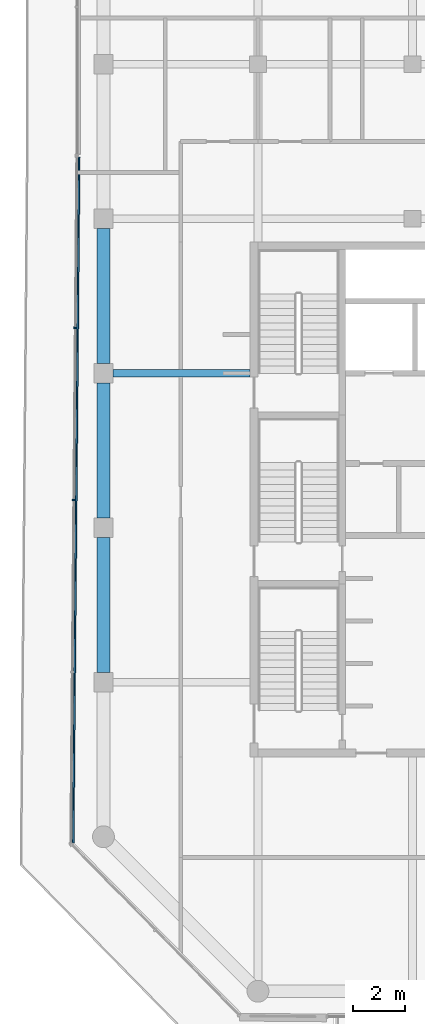
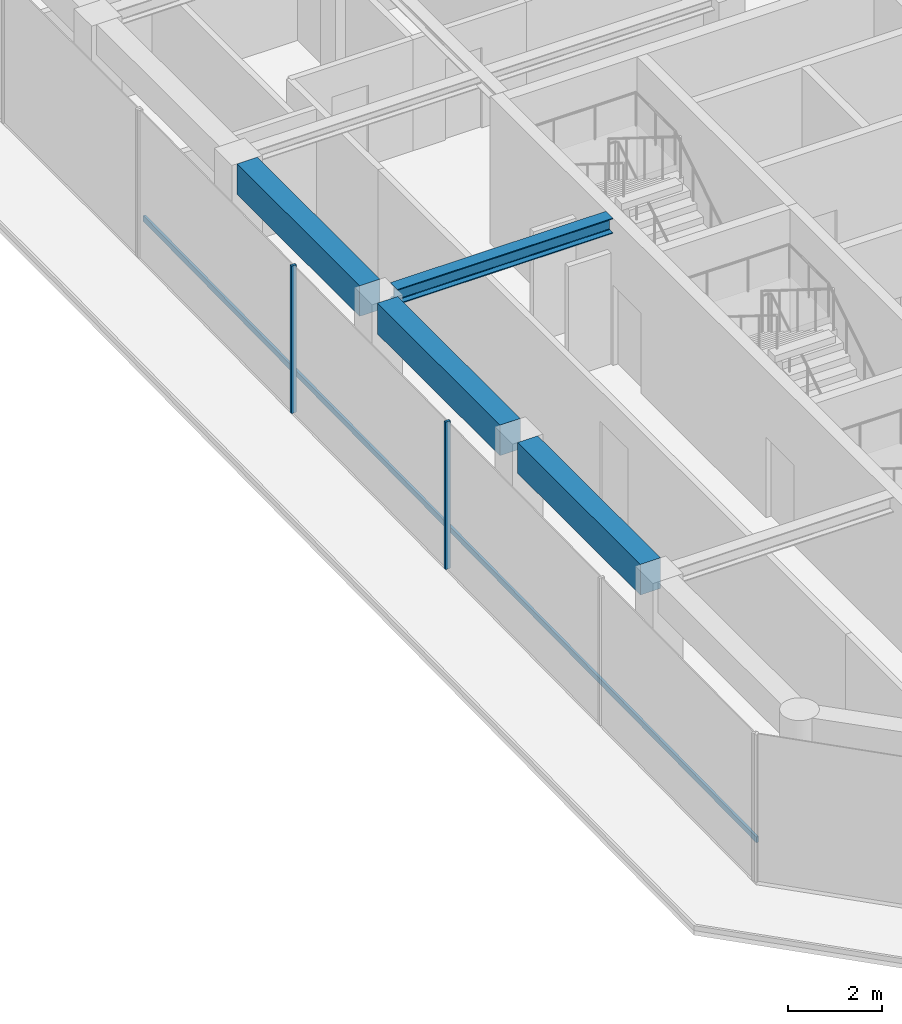
# One storey, part 4 of 18: 4 beams, 3 members, 1 element without a shape of its own.
"""IFC4 building model written with IfcOpenShell, lengths in metres."""

import ifcopenshell
import ifcopenshell.guid

model = None  # the IFC model being written
_history = None  # IfcOwnerHistory: only IFC2X3 demands one
_inside = {}  # id of a spatial element -> (the spatial element, [elements in it])
_under = {}  # id of a project, library or spatial element -> (it, [spatial elements below it])
_declared = {}  # id of a project -> (the project, [libraries it declares])
_typed = {}  # id of a type object -> (the type object, [elements of that type])
_made_of = {}  # id of a material, layer set ... -> (it, [elements and type objects made of it])


def new_model(schema):
    """Start an empty IFC model of exactly this schema.

    Asked for "IFC4X3", IfcOpenShell would pick the latest addendum, in which some entities
    have other attributes; the version numbers below select the first issue.
    IFC2X3 requires an IfcOwnerHistory on every rooted entity: one is made here for all.
    """
    global model, _history
    if schema == "IFC4X3":
        model = ifcopenshell.file(schema_version=(4, 3, 0, 0))
    else:
        model = ifcopenshell.file(schema=schema)
    _inside.clear()
    _under.clear()
    _declared.clear()
    _typed.clear()
    _made_of.clear()
    _history = None
    if model.schema == "IFC2X3":
        org = make("IfcOrganization", Name="unknown")
        user = make(
            "IfcPersonAndOrganization",
            ThePerson=make("IfcPerson", FamilyName="unknown"),
            TheOrganization=org,
        )
        app = make(
            "IfcApplication",
            ApplicationDeveloper=org,
            Version="unknown",
            ApplicationFullName="unknown",
            ApplicationIdentifier="unknown",
        )
        _history = make(
            "IfcOwnerHistory",
            OwningUser=user,
            OwningApplication=app,
            ChangeAction="ADDED",
            CreationDate=0,
        )
    return model


def make(cls, **values):
    """One entity of the class cls with the attributes given. An attribute that is None is left unset."""
    return model.create_entity(
        cls, **{name: value for name, value in values.items() if value is not None}
    )


def rooted(cls, **values):
    """An entity with a GlobalId (a new one), such as an element, a storey or a relation."""
    return make(cls, GlobalId=ifcopenshell.guid.new(), OwnerHistory=_history, **values)


def si_unit(unit_type, name, prefix=None):
    """IfcSIUnit, for example si_unit("LENGTHUNIT", "METRE", prefix="MILLI")."""
    return make("IfcSIUnit", UnitType=unit_type, Prefix=prefix, Name=name)


def assignment(units):
    """IfcUnitAssignment: the units of a project."""
    return None if units is None else make("IfcUnitAssignment", Units=units)


def point(xyz):
    """IfcCartesianPoint."""
    return None if xyz is None else make("IfcCartesianPoint", Coordinates=xyz)


def direction(xyz):
    """IfcDirection."""
    return None if xyz is None else make("IfcDirection", DirectionRatios=xyz)


def frame(location, z_axis=None, x_axis=None):
    """IfcAxis2Placement3D, a coordinate frame: its origin and axes. An axis left out is left unset."""
    return make(
        "IfcAxis2Placement3D",
        Location=point(location),
        Axis=direction(z_axis),
        RefDirection=direction(x_axis),
    )


def frame_2d(location, x_axis=None):
    """IfcAxis2Placement2D, a coordinate frame in the plane: its origin and x axis."""
    return make(
        "IfcAxis2Placement2D", Location=point(location), RefDirection=direction(x_axis)
    )


def origin():
    """The frame at (0, 0, 0) with its axes left unset."""
    return frame((0.0, 0.0, 0.0))


def origin_2d():
    """The frame at (0, 0) in the plane with its x axis left unset."""
    return frame_2d((0.0, 0.0))


def place(relative_to, where):
    """IfcLocalPlacement: puts the frame where relative to a parent placement (None: the world)."""
    return make(
        "IfcLocalPlacement", PlacementRelTo=relative_to, RelativePlacement=where
    )


def context(
    kind, dimensions, precision=None, world=None, true_north=None, identifier=None
):
    """IfcGeometricRepresentationContext, for example the 3D "Model" context."""
    return make(
        "IfcGeometricRepresentationContext",
        ContextIdentifier=identifier,
        ContextType=kind,
        CoordinateSpaceDimension=dimensions,
        Precision=precision,
        WorldCoordinateSystem=world,
        TrueNorth=true_north,
    )


def subcontext(parent, identifier, kind, view, scale=None):
    """IfcGeometricRepresentationSubContext, for example "Body" below "Model"."""
    return make(
        "IfcGeometricRepresentationSubContext",
        ContextIdentifier=identifier,
        ContextType=kind,
        ParentContext=parent,
        TargetScale=scale,
        TargetView=view,
    )


def project(units=None, contexts=None):
    """IfcProject with its units and contexts."""
    return rooted(
        "IfcProject",
        Name="project",
        RepresentationContexts=contexts,
        UnitsInContext=assignment(units),
    )


def spatial(cls, under=None, at=None, **own):
    """A site, building, storey or space (cls), placed at a placement, below another one or the project."""
    s = rooted(cls, ObjectPlacement=at, **own)
    if under is not None:
        _under.setdefault(under.id(), (under, []))[1].append(s)
    return s


def profile(cls, at=None, kind="AREA", **sizes):
    """A parametric profile (cls). Its sizes go by their IFC names, for example OverallWidth=200.0."""
    return make(cls, ProfileType=kind, Position=at, **sizes)


def rectangle(**sizes):
    """IfcRectangleProfileDef."""
    return profile("IfcRectangleProfileDef", **sizes)


def i_section(**sizes):
    """IfcIShapeProfileDef."""
    return profile("IfcIShapeProfileDef", **sizes)


def extrude(swept, where, along, depth):
    """IfcExtrudedAreaSolid: the profile swept, set in the frame where, extruded along a direction by depth."""
    return make(
        "IfcExtrudedAreaSolid",
        SweptArea=swept,
        Position=where,
        ExtrudedDirection=direction(along),
        Depth=depth,
    )


def shape(context_of_items, identifier, shape_type, items):
    """IfcShapeRepresentation: the items that make up one representation, for example the "Body"."""
    return make(
        "IfcShapeRepresentation",
        ContextOfItems=context_of_items,
        RepresentationIdentifier=identifier,
        RepresentationType=shape_type,
        Items=items,
    )


def material(Name=None, Category=None):
    """IfcMaterial."""
    return make("IfcMaterial", Name=Name, Category=Category)


def layer(
    of_material, thickness, ventilated=None, Name=None, Category=None, Priority=None
):
    """IfcMaterialLayer: one layer of a wall or slab, of a material (None: an air gap)."""
    return make(
        "IfcMaterialLayer",
        Material=of_material,
        LayerThickness=thickness,
        IsVentilated=ventilated,
        Name=Name,
        Category=Category,
        Priority=Priority,
    )


def layer_set(layers, Name=None):
    """IfcMaterialLayerSet."""
    return make("IfcMaterialLayerSet", MaterialLayers=layers, LayerSetName=Name)


def material_profile(
    of_material, cross_section, Name=None, Category=None, Priority=None
):
    """IfcMaterialProfile: a cross section and its material."""
    return make(
        "IfcMaterialProfile",
        Name=Name,
        Material=of_material,
        Profile=cross_section,
        Priority=Priority,
        Category=Category,
    )


def profile_set(profiles, Name=None, composite=None):
    """IfcMaterialProfileSet."""
    return make(
        "IfcMaterialProfileSet",
        Name=Name,
        MaterialProfiles=profiles,
        CompositeProfile=composite,
    )


def made_of(thing, what):
    """Note that an element or type object is made of a material, layer set ...; save() writes the relation."""
    if what is not None:
        _made_of.setdefault(what.id(), (what, []))[1].append(thing)
    return thing


def type_object(cls, material=None, **own):
    """A type object (cls), such as IfcWallType, which elements share."""
    return made_of(rooted(cls, **own), material)


def element(
    cls,
    number,
    at=None,
    inside=None,
    cuts=None,
    type_object=None,
    material=None,
    context=None,
    identifier="Body",
    shape_type=None,
    held_by="IfcProductDefinitionShape",
    body=None,
    shapes=None,
    **own,
):
    """One element of the class cls, such as IfcWall. Its Tag is "e" and its number.

    at: its placement. inside: the storey or other place that contains it. cuts: it is an
    opening in that element (IfcRelVoidsElement). A single representation is given by context,
    identifier, shape_type and body (its items); several are given by shapes. held_by: the class
    of the entity that holds the representations. save() writes the other relations.
    """
    e = rooted(cls, Tag="e%d" % number, ObjectPlacement=at, **own)
    if body is not None:
        shapes = [shape(context, identifier, shape_type, body)]
    if shapes is not None:
        e.Representation = make(held_by, Representations=shapes)
    if inside is not None:
        _inside.setdefault(inside.id(), (inside, []))[1].append(e)
    if cuts is not None:
        rooted(
            "IfcRelVoidsElement", RelatingBuildingElement=cuts, RelatedOpeningElement=e
        )
    if type_object is not None:
        _typed.setdefault(type_object.id(), (type_object, []))[1].append(e)
    return made_of(e, material)


def aggregate(whole, parts):
    """IfcRelAggregates: a whole, such as a stair, and the parts it consists of."""
    return rooted("IfcRelAggregates", RelatingObject=whole, RelatedObjects=parts)


def save(model, path):
    """Write the relations noted so far, then the file.

    IfcRelAggregates (storeys below a building ...), IfcRelContainedInSpatialStructure (elements
    in a storey), IfcRelDefinesByType, IfcRelAssociatesMaterial and IfcRelDeclares: one each for
    every whole, place, type object, material and project.
    """
    for whole, parts in _under.values():
        aggregate(whole, parts)
    for where, things in _inside.values():
        rooted(
            "IfcRelContainedInSpatialStructure",
            RelatedElements=things,
            RelatingStructure=where,
        )
    for kind, things in _typed.values():
        rooted("IfcRelDefinesByType", RelatedObjects=things, RelatingType=kind)
    for what, things in _made_of.values():
        rooted("IfcRelAssociatesMaterial", RelatedObjects=things, RelatingMaterial=what)
    for by, libraries in _declared.values():
        rooted("IfcRelDeclares", RelatingContext=by, RelatedDefinitions=libraries)
    model.write(path)


model = new_model("IFC4")

# Units and contexts
model_context = context("Model", 3, precision=1e-05, world=origin(), true_north=direction((0.0, 1.0)))
body_context = subcontext(model_context, "Body", "Model", "MODEL_VIEW")
ifc_project = project(units=[si_unit("LENGTHUNIT", "METRE"), si_unit("AREAUNIT", "SQUARE_METRE"), si_unit("VOLUMEUNIT", "CUBIC_METRE"), si_unit("PLANEANGLEUNIT", "RADIAN"), si_unit("MASSUNIT", "GRAM", prefix="KILO")], contexts=[model_context])

# Site, building, storey
site_placement = place(None, origin())
site = spatial("IfcSite", under=ifc_project, at=site_placement, CompositionType="ELEMENT")
building_placement = place(site_placement, origin())
building = spatial("IfcBuilding", under=site, at=building_placement, Name="Welwitschia Terrace Campus", CompositionType="ELEMENT")
storey_placement = place(building_placement, frame((0.0, 0.0, 285.199951171875)))
storey = spatial("IfcBuildingStorey", under=building, at=storey_placement, Name="L63", CompositionType="ELEMENT", Elevation=285.199951171875)

# Curtain wall, members
ifc_material_1 = material(Name="Bronze anodised aluminium", Category="aluminium")
ifc_layer = layer(ifc_material_1, 0.1201171875)
ifc_layer_set = layer_set([ifc_layer], Name="Bronze anodised aluminium")
curtain_wall_type = type_object("IfcCurtainWallType", Name="Curtain wall CW2 tower 6000", PredefinedType="NOTDEFINED", material=ifc_layer_set)
curtain_wall_placement = place(storey_placement, origin())
curtain_wall = element("IfcCurtainWall", 1, at=curtain_wall_placement, inside=storey, type_object=curtain_wall_type, Name="CW L63.2.0", PredefinedType="NOTDEFINED")
ifc_material_2 = material(Name="Bronze anodised aluminium", Category="aluminium")
ifc_material_profile_1 = material_profile(ifc_material_2, rectangle(XDim=0.1201171875, YDim=0.06005859375, at=origin_2d()))
ifc_profile_set_1 = profile_set([ifc_material_profile_1], Name="Bronze anodised aluminium")
member_type_1 = type_object("IfcMemberType", Name="Mullion 60x120", PredefinedType="MULLION", material=ifc_profile_set_1)
member_1_placement = place(storey_placement, frame((-1.08837890625, 21.7666015625, 0.0), z_axis=(0.0, 0.0, 1.0), x_axis=(0.999961923064, -0.008726535498, 0.0)))
member_1 = element("IfcMember", 2, at=member_1_placement, type_object=member_type_1, Name="Mullion L63.2.0.1", PredefinedType="MULLION", context=body_context, shape_type="SweptSolid", body=[
    extrude(rectangle(XDim=0.1201171875, YDim=0.06005859375, at=origin_2d()), origin(), (0.0, 0.0, 1.0), 3.85009765625),
])
member_2_placement = place(storey_placement, frame((-1.146728515625, 15.079345703125, 0.0), z_axis=(0.0, 0.0, 1.0), x_axis=(0.999961923064, -0.008726535498, 0.0)))
member_2 = element("IfcMember", 3, at=member_2_placement, type_object=member_type_1, Name="Mullion L63.2.0.2", PredefinedType="MULLION", context=body_context, shape_type="SweptSolid", body=[
    extrude(rectangle(XDim=0.1201171875, YDim=0.06005859375, at=origin_2d()), origin(), (0.0, 0.0, 1.0), 3.85009765625),
])

# Beams
ifc_material_3 = material(Name="Steel S355", Category="steel")
ifc_material_profile_2 = material_profile(ifc_material_3, i_section(OverallWidth=0.300048828125, OverallDepth=0.39990234375, WebThickness=0.013427734375, FlangeThickness=0.02392578125, FilletRadius=0.027099609375, at=origin_2d()))
ifc_profile_set_2 = profile_set([ifc_material_profile_2], Name="Steel S355")
beam_type_1 = type_object("IfcBeamType", Name="Primary beam HE 400 B", PredefinedType="BEAM", material=ifc_profile_set_2)
beam_placement = place(storey_placement, frame((0.37548828125, 20.0, 3.650146484375), z_axis=(1.0, 0.0, 0.0), x_axis=(0.0, 1.0, 0.0)))
element("IfcBeam", 4, at=beam_placement, inside=storey, type_object=beam_type_1, Name="Primary beam PB6", PredefinedType="BEAM", context=body_context, shape_type="SweptSolid", body=[
    extrude(i_section(OverallWidth=0.300048828125, OverallDepth=0.39990234375, WebThickness=0.013427734375, FlangeThickness=0.02392578125, FilletRadius=0.027099609375, at=origin_2d()), origin(), (0.0, 0.0, 1.0), 5.324462890625),
])
ifc_material_4 = material(Name="Concrete C50/60", Category="concrete")
ifc_material_profile_3 = material_profile(ifc_material_4, rectangle(XDim=0.5, YDim=0.800048828125, at=origin_2d()))
ifc_profile_set_3 = profile_set([ifc_material_profile_3], Name="Concrete C50/60")
beam_type_2 = type_object("IfcBeamType", Name="Ring spandrel 500x800", PredefinedType="SPANDREL", material=ifc_profile_set_3)
for number, where, z_axis, x_axis, name in (
    (5, (0.0, 25.62451171875, 3.449951171875), (0.0, -1.0, 0.0), (1.0, 0.0, 0.0), "Spandrel SP4"),
    (6, (0.0, 19.62451171875, 3.449951171875), (0.0, -1.0, 0.0), (1.0, 0.0, 0.0), "Spandrel SP4"),
    (7, (0.0, 13.62451171875, 3.449951171875), (0.0, -1.0, 0.0), (1.0, 0.0, 0.0), "Spandrel SP4"),
):
    element("IfcBeam", number, at=place(storey_placement, frame(where, z_axis=z_axis, x_axis=x_axis)), inside=storey, type_object=beam_type_2, Name=name, PredefinedType="SPANDREL", context=body_context, shape_type="SweptSolid", body=[
        extrude(rectangle(XDim=0.5, YDim=0.800048828125, at=origin_2d()), origin(), (0.0, 0.0, 1.0), 5.2490234375),
    ])

# Member
ifc_material_5 = material(Name="Bronze anodised aluminium", Category="aluminium")
ifc_material_profile_4 = material_profile(ifc_material_5, rectangle(XDim=0.06005859375, YDim=0.14990234375, at=origin_2d()))
ifc_profile_set_4 = profile_set([ifc_material_profile_4], Name="Bronze anodised aluminium")
member_type_2 = type_object("IfcMemberType", Name="Transom 60x150", PredefinedType="USERDEFINED", material=ifc_profile_set_4)
member_3_placement = place(storey_placement, frame((-0.9404296875, 28.392822265625, 1.0), z_axis=(-0.008728007138, -0.99996191022, 0.0), x_axis=(0.99996191022, -0.008728007138, 0.0)))
member_3 = element("IfcMember", 8, at=member_3_placement, type_object=member_type_2, Name="Transom L63.2.0", ObjectType="TRANSOM", PredefinedType="USERDEFINED", context=body_context, shape_type="SweptSolid", body=[
    extrude(rectangle(XDim=0.06005859375, YDim=0.14990234375, at=origin_2d()), origin(), (0.0, 0.0, 1.0), 26.62939453125),
])

aggregate(curtain_wall, [member_1, member_2, member_3])

save(model, "model.ifc")
